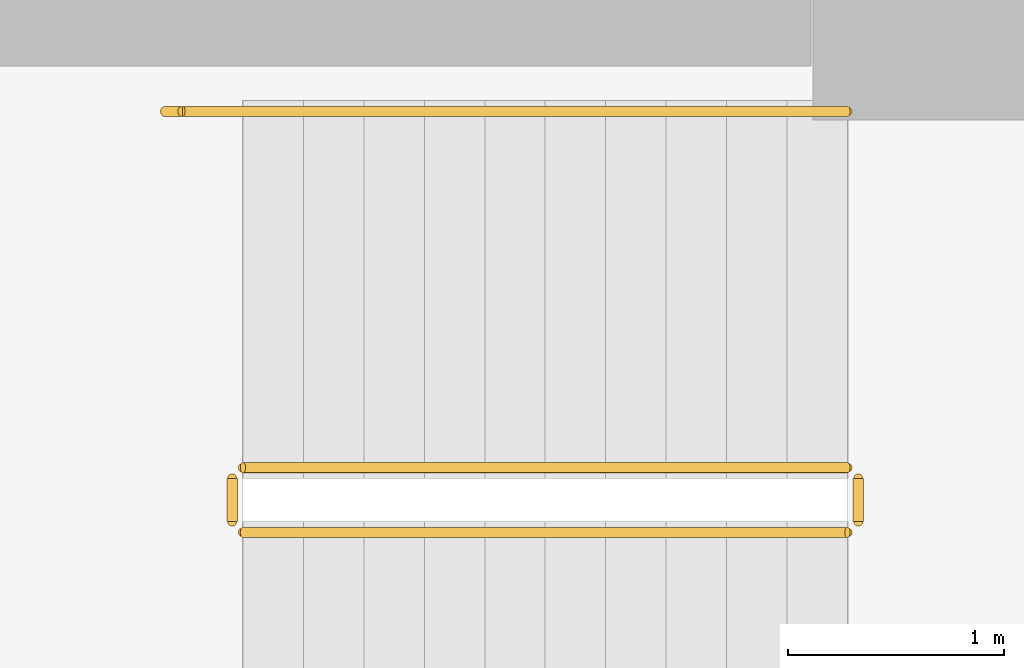
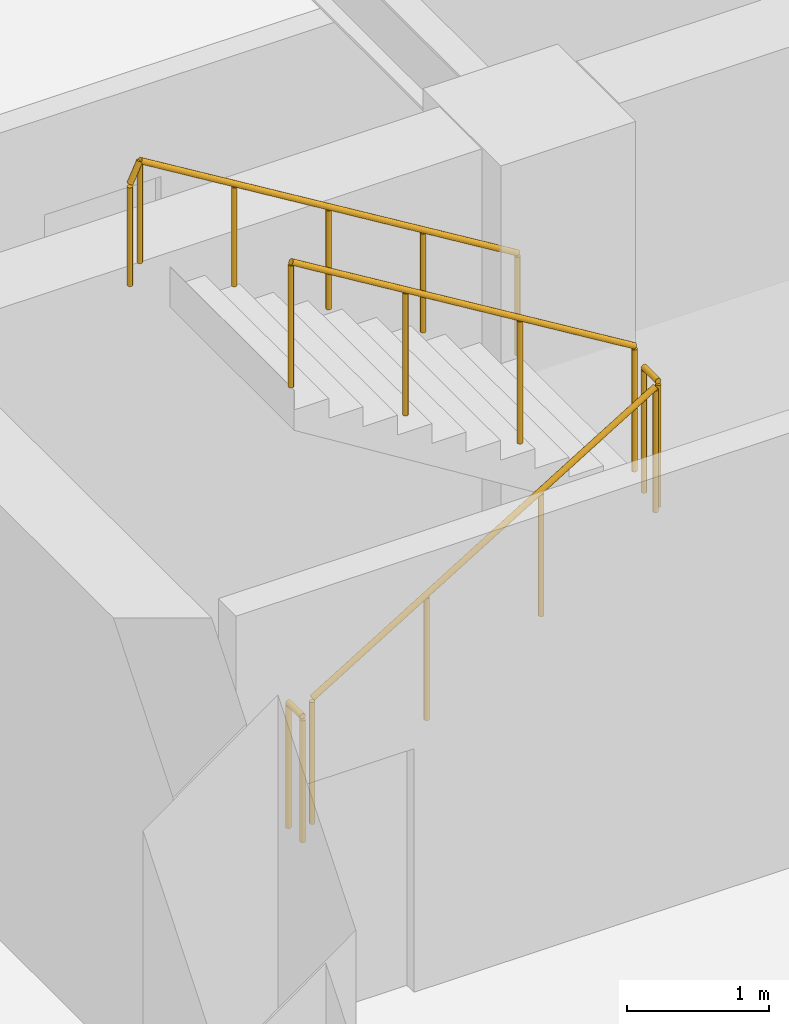
# One storey, part 24 of 25: 5 railings.
"""IFC4 building model written with IfcOpenShell, lengths in metres."""

from ifc_helpers import new_model, si_unit, direction, frame, origin, origin_2d, place, context, subcontext, project, spatial, circle, extrude, material, type_object, element, save


model = new_model("IFC4")

# Units and contexts
model_context = context("Model", 3, precision=1e-05, world=origin(), true_north=direction((0.0, 1.0)))
body_context = subcontext(model_context, "Body", "Model", "MODEL_VIEW")
ifc_project = project(units=[si_unit("LENGTHUNIT", "METRE"), si_unit("AREAUNIT", "SQUARE_METRE"), si_unit("VOLUMEUNIT", "CUBIC_METRE"), si_unit("PLANEANGLEUNIT", "RADIAN"), si_unit("MASSUNIT", "GRAM", prefix="KILO")], contexts=[model_context])

# Site, building, storey
site_placement = place(None, origin())
site = spatial("IfcSite", under=ifc_project, at=site_placement, CompositionType="ELEMENT")
building_placement = place(site_placement, origin())
building = spatial("IfcBuilding", under=site, at=building_placement, Name="Surkhivell Harbour Commons", CompositionType="ELEMENT")
storey_placement = place(building_placement, frame((0.0, 0.0, 139.5)))
storey = spatial("IfcBuildingStorey", under=building, at=storey_placement, Name="L36", CompositionType="ELEMENT", Elevation=139.5)

# Railings
ifc_material_1 = material(Name="Galvanised and painted steel S355 guard rail", Category="steel")
railing_type_1 = type_object("IfcRailingType", Name="RAL-ST-GRD1100", PredefinedType="GUARDRAIL", material=ifc_material_1)
railing_1_placement = place(storey_placement, frame((-8.590087890625, 8.340087890625, 0.17041015625)))
element("IfcRailing", 1, at=railing_1_placement, inside=storey, type_object=railing_type_1, Name="L36 ST1 stair guard 1", PredefinedType="GUARDRAIL", context=body_context, shape_type="SweptSolid", body=[
    extrude(circle(Radius=0.02392578125, at=origin_2d()), frame((0.0, 0.0, 1.076171875), z_axis=(0.854169791009, 0.0, 0.51999420009), x_axis=(0.0, 1.0, 0.0)), (0.0, 0.0, 1.0), 3.278076171875),
    extrude(circle(Radius=0.02099609375, at=origin_2d()), origin(), (0.0, 0.0, 1.0), 1.052001953125),
    extrude(circle(Radius=0.02099609375, at=origin_2d()), frame((0.933349609375, 0.0, 0.568115234375)), (0.0, 0.0, 1.0), 1.052001953125),
    extrude(circle(Radius=0.02099609375, at=origin_2d()), frame((1.86669921875, 0.0, 1.136474609375)), (0.0, 0.0, 1.0), 1.052001953125),
    extrude(circle(Radius=0.02099609375, at=origin_2d()), frame((2.800048828125, 0.0, 1.70458984375)), (0.0, 0.0, 1.0), 1.052001953125),
])
railing_2_placement = place(storey_placement, frame((-5.739990234375, 8.389892578125, 1.875)))
element("IfcRailing", 2, at=railing_2_placement, inside=storey, type_object=railing_type_1, Name="L36 ST1 stair guard 2", PredefinedType="GUARDRAIL", context=body_context, shape_type="SweptSolid", body=[
    extrude(circle(Radius=0.02392578125, at=origin_2d()), frame((0.0, 0.0, 1.076171875), z_axis=(0.0, 1.0, 0.0), x_axis=(-1.0, 0.0, 0.0)), (0.0, 0.0, 1.0), 0.2001953125),
    extrude(circle(Radius=0.02099609375, at=origin_2d()), origin(), (0.0, 0.0, 1.0), 1.052001953125),
    extrude(circle(Radius=0.02099609375, at=origin_2d()), frame((0.0, 0.2001953125, 0.0)), (0.0, 0.0, 1.0), 1.052001953125),
])
railing_3_placement = place(storey_placement, frame((-5.7900390625, 8.639892578125, 2.04541015625)))
element("IfcRailing", 3, at=railing_3_placement, inside=storey, type_object=railing_type_1, Name="L36 ST1 stair guard 3", PredefinedType="GUARDRAIL", context=body_context, shape_type="SweptSolid", body=[
    extrude(circle(Radius=0.02392578125, at=origin_2d()), frame((0.0, 0.0, 1.076171875), z_axis=(-0.854169791009, 0.0, 0.51999420009), x_axis=(0.0, -1.0, 0.0)), (0.0, 0.0, 1.0), 3.278076171875),
    extrude(circle(Radius=0.02099609375, at=origin_2d()), origin(), (0.0, 0.0, 1.0), 1.052001953125),
    extrude(circle(Radius=0.02099609375, at=origin_2d()), frame((-0.933349609375, 0.0, 0.568115234375)), (0.0, 0.0, 1.0), 1.052001953125),
    extrude(circle(Radius=0.02099609375, at=origin_2d()), frame((-1.86669921875, 0.0, 1.136474609375)), (0.0, 0.0, 1.0), 1.052001953125),
    extrude(circle(Radius=0.02099609375, at=origin_2d()), frame((-2.800048828125, 0.0, 1.70458984375)), (0.0, 0.0, 1.0), 1.052001953125),
])
railing_4_placement = place(storey_placement, frame((-8.639892578125, 8.389892578125, 0.0)))
element("IfcRailing", 4, at=railing_4_placement, inside=storey, type_object=railing_type_1, Name="L36 ST1 stair guard 4", PredefinedType="GUARDRAIL", context=body_context, shape_type="SweptSolid", body=[
    extrude(circle(Radius=0.02392578125, at=origin_2d()), frame((0.0, 0.0, 1.076171875), z_axis=(0.0, 1.0, 0.0), x_axis=(-1.0, 0.0, 0.0)), (0.0, 0.0, 1.0), 0.2001953125),
    extrude(circle(Radius=0.02099609375, at=origin_2d()), origin(), (0.0, 0.0, 1.0), 1.052001953125),
    extrude(circle(Radius=0.02099609375, at=origin_2d()), frame((0.0, 0.2001953125, 0.0)), (0.0, 0.0, 1.0), 1.052001953125),
])
ifc_material_2 = material(Name="Brushed stainless steel S355 handrail", Category="steel")
railing_type_2 = type_object("IfcRailingType", Name="RAL-ST-HND900", PredefinedType="HANDRAIL", material=ifc_material_2)
railing_5_placement = place(storey_placement, frame((-5.7900390625, 10.2900390625, 2.04541015625)))
element("IfcRailing", 5, at=railing_5_placement, inside=storey, type_object=railing_type_2, Name="L36 ST1 stair handrail 2", PredefinedType="HANDRAIL", context=body_context, shape_type="SweptSolid", body=[
    extrude(circle(Radius=0.02392578125, at=origin_2d()), frame((0.0, 0.0, 0.8759765625), z_axis=(-0.854177636135, 0.0, 0.519981313056), x_axis=(0.0, -1.0, 0.0)), (0.0, 0.0, 1.0), 3.60595703125),
    extrude(circle(Radius=0.02392578125, at=origin_2d()), frame((-3.080078125, 0.0, 2.7509765625), z_axis=(-0.424234432967, 0.0, -0.905552398199), x_axis=(0.0, -1.0, 0.0)), (0.0, 0.0, 1.0), 0.188232421875),
    extrude(circle(Radius=0.02099609375, at=origin_2d()), origin(), (0.0, 0.0, 1.0), 0.851806640625),
    extrude(circle(Radius=0.02099609375, at=origin_2d()), frame((-0.77001953125, 0.0, 0.46875)), (0.0, 0.0, 1.0), 0.851806640625),
    extrude(circle(Radius=0.02099609375, at=origin_2d()), frame((-1.5400390625, 0.0, 0.9375)), (0.0, 0.0, 1.0), 0.851806640625),
    extrude(circle(Radius=0.02099609375, at=origin_2d()), frame((-2.31005859375, 0.0, 1.40625)), (0.0, 0.0, 1.0), 0.851806640625),
    extrude(circle(Radius=0.02099609375, at=origin_2d()), frame((-3.080078125, 0.0, 1.875)), (0.0, 0.0, 1.0), 0.851806640625),
    extrude(circle(Radius=0.02099609375, at=origin_2d()), frame((-3.159912109375, 0.0, 1.70458984375)), (0.0, 0.0, 1.0), 0.851806640625),
])

save(model, "model.ifc")
